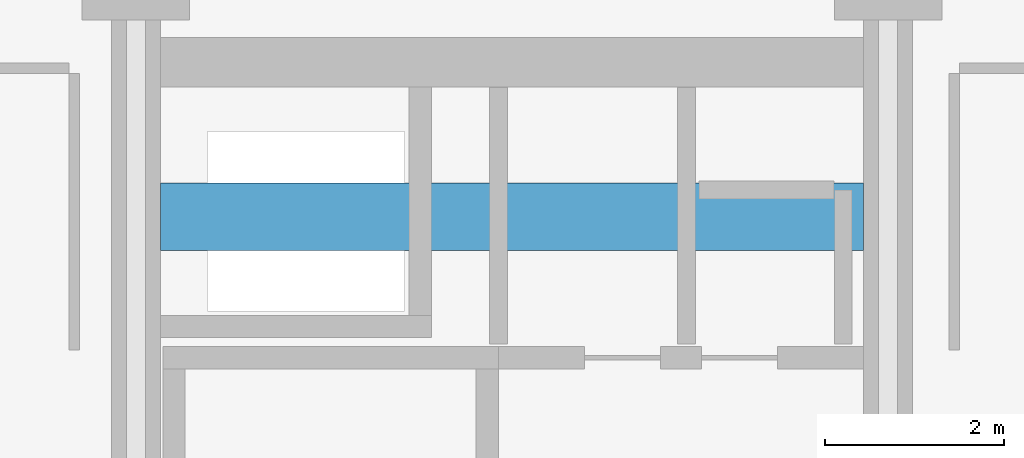
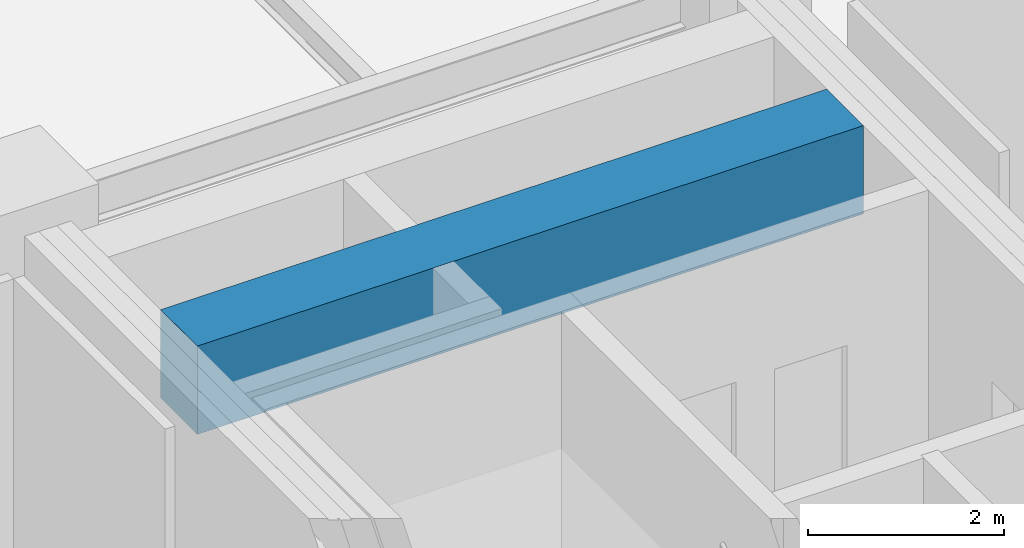
# One storey, part 24 of 40: 1 beam.
"""IFC4 building model written with IfcOpenShell, lengths in metres."""

from ifc_helpers import new_model, si_unit, direction, frame, origin, origin_2d, place, context, subcontext, project, spatial, rectangle, extrude, material, material_profile, profile_set, type_object, element, save


model = new_model("IFC4")

# Units and contexts
model_context = context("Model", 3, precision=1e-05, world=origin(), true_north=direction((0.0, 1.0)))
body_context = subcontext(model_context, "Body", "Model", "MODEL_VIEW")
ifc_project = project(units=[si_unit("LENGTHUNIT", "METRE"), si_unit("AREAUNIT", "SQUARE_METRE"), si_unit("VOLUMEUNIT", "CUBIC_METRE"), si_unit("PLANEANGLEUNIT", "RADIAN"), si_unit("MASSUNIT", "GRAM", prefix="KILO")], contexts=[model_context])

# Site, building, storey
site_placement = place(None, origin())
site = spatial("IfcSite", under=ifc_project, at=site_placement, CompositionType="ELEMENT")
building_placement = place(site_placement, origin())
building = spatial("IfcBuilding", under=site, at=building_placement, Name="Nerrivon Quay Data Exchange", CompositionType="ELEMENT")
storey_placement = place(building_placement, frame((0.0, 0.0, 109.0)))
storey = spatial("IfcBuildingStorey", under=building, at=storey_placement, Name="L25", CompositionType="ELEMENT", Elevation=109.0)

# Beam
ifc_material = material(Name="Concrete S65 (65 MPa)", Category="concrete")
ifc_material_profile = material_profile(ifc_material, rectangle(XDim=0.75, YDim=1.10009765625, at=origin_2d()), Name="RC-CB-750x1100")
ifc_profile_set = profile_set([ifc_material_profile], Name="Concrete S65 (65 MPa)")
beam_type = type_object("IfcBeamType", Name="BM-CB1-750x1100", PredefinedType="LINTEL", material=ifc_profile_set)
beam_placement = place(storey_placement, frame((8.675048828125, 39.199951171875, 3.199951171875), z_axis=(1.0, 0.0, 0.0), x_axis=(0.0, 1.0, 0.0)))
element("IfcBeam", 1, at=beam_placement, inside=storey, type_object=beam_type, Name="L25 West Core Coupling Beam", PredefinedType="LINTEL", context=body_context, shape_type="SweptSolid", body=[
    extrude(rectangle(XDim=0.75, YDim=1.10009765625, at=origin_2d()), origin(), (0.0, 0.0, 1.0), 7.849853515625),
])

save(model, "model.ifc")
